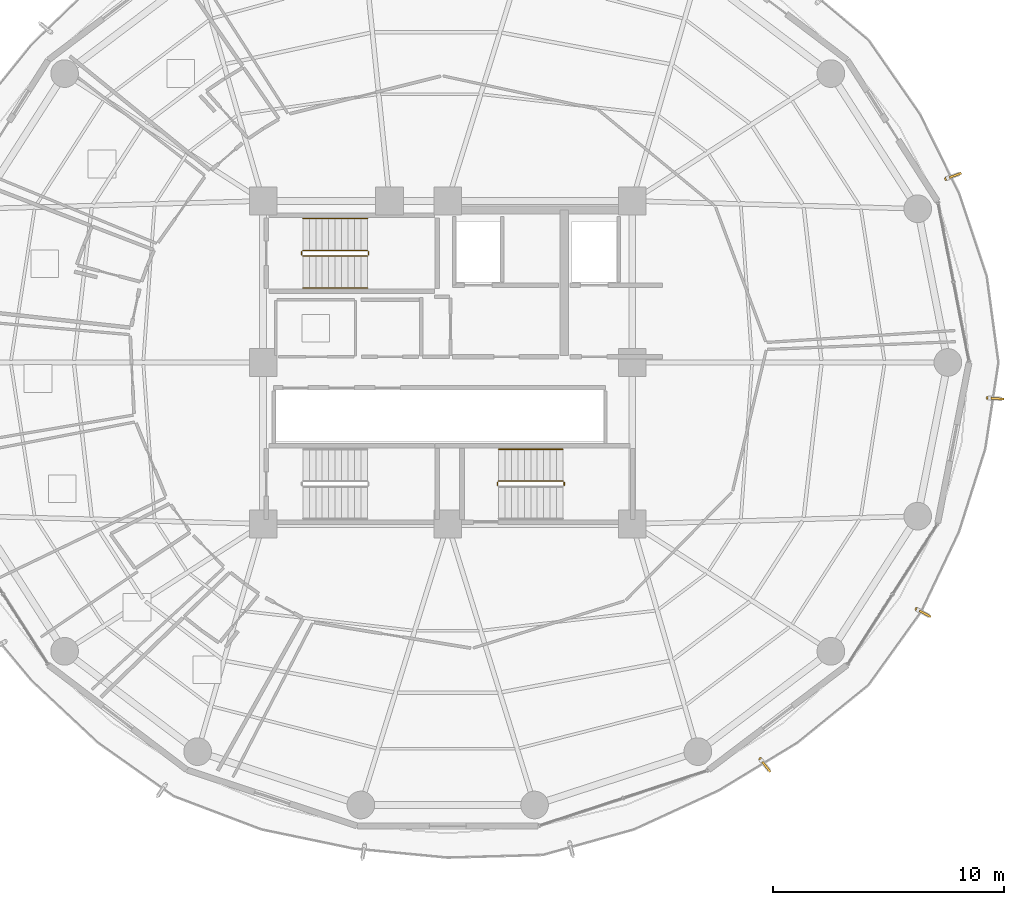
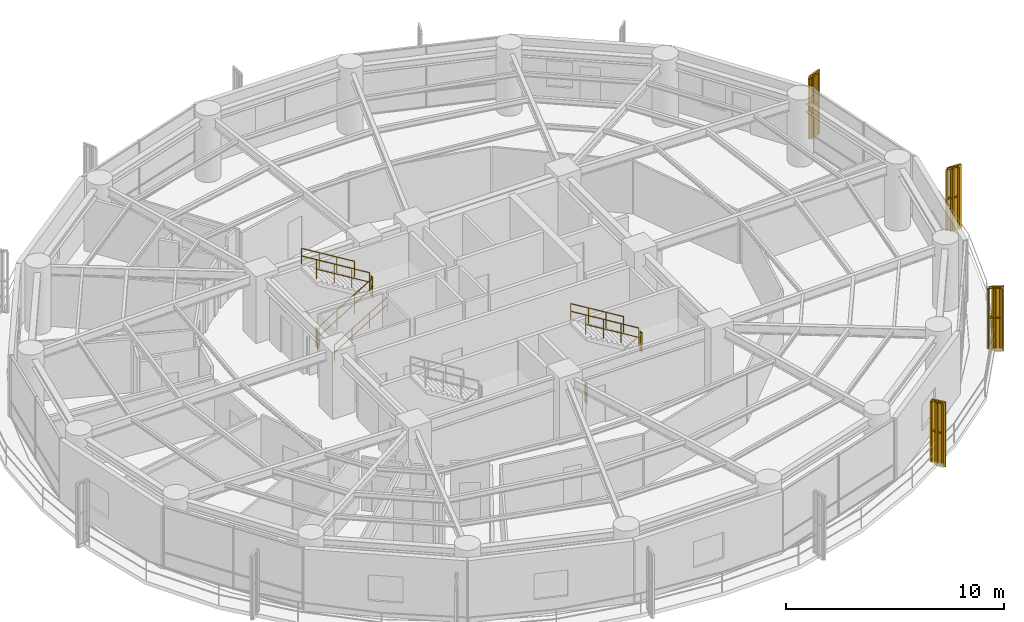
# One storey, part 27 of 28: 14 railings, 4 shading devices.
"""IFC4 building model written with IfcOpenShell, lengths in metres."""

from ifc_helpers import new_model, si_unit, direction, frame, origin, origin_2d, place, context, subcontext, project, spatial, polyline, rectangle, outline, extrude, source, transform, mapped, material, type_object, element, save


model = new_model("IFC4")

# Units and contexts
model_context = context("Model", 3, precision=1e-05, world=origin(), true_north=direction((0.0, 1.0)))
body_context = subcontext(model_context, "Body", "Model", "MODEL_VIEW")
ifc_project = project(units=[si_unit("LENGTHUNIT", "METRE"), si_unit("AREAUNIT", "SQUARE_METRE"), si_unit("VOLUMEUNIT", "CUBIC_METRE"), si_unit("PLANEANGLEUNIT", "RADIAN"), si_unit("MASSUNIT", "GRAM", prefix="KILO")], contexts=[model_context])

# Site, building, storey
site_placement = place(None, origin())
site = spatial("IfcSite", under=ifc_project, at=site_placement, CompositionType="ELEMENT")
building_placement = place(site_placement, origin())
building = spatial("IfcBuilding", under=site, at=building_placement, Name="Kelanora Arch Commons", CompositionType="ELEMENT")
storey_placement = place(building_placement, frame((0.0, 0.0, 161.85009765625)))
storey = spatial("IfcBuildingStorey", under=building, at=storey_placement, Name="L41", CompositionType="ELEMENT", Elevation=161.85009765625)

# Railings
ifc_material_1 = material(Name="Anodised bronze vertical shading fin rib assembly")
railing_type_1 = type_object("IfcRailingType", Name="RAIL-FIN-BRZ", PredefinedType="BALUSTRADE", material=ifc_material_1)
railing_1_placement = place(storey_placement, frame((97.41162109375, 56.45947265625, -0.02001953125)))
element("IfcRailing", 1, at=railing_1_placement, inside=storey, type_object=railing_type_1, Name="Sweeping Bronze Vertical Fin Blade L41-00", PredefinedType="BALUSTRADE", context=body_context, shape_type="SweptSolid", body=[
    extrude(outline(polyline([(0.06982421875, 0.0), (0.034912109375, 0.060546875), (-0.034912109375, 0.060546875), (-0.06982421875, 0.0), (-0.034912109375, -0.060546875), (0.034912109375, -0.060546875), (0.06982421875, 0.0)])), frame((0.0, 0.0, 3.419921875), z_axis=(0.997842497734, -0.065653253664, 0.0), x_axis=(0.065653253664, 0.997842497734, 0.0)), (0.0, 0.0, 1.0), 0.5615234375),
    extrude(outline(polyline([(0.06982421875, 0.0), (0.034912109375, 0.060546875), (-0.034912109375, 0.060546875), (-0.06982421875, 0.0), (-0.034912109375, -0.060546875), (0.034912109375, -0.060546875), (0.06982421875, 0.0)])), frame((0.0, 0.0, 1.7451171875), z_axis=(0.997842497734, -0.065653253664, 0.0), x_axis=(0.065653253664, 0.997842497734, 0.0)), (0.0, 0.0, 1.0), 0.5615234375),
    extrude(outline(polyline([(0.080078125, 0.0), (0.0400390625, 0.0693359375), (-0.0400390625, 0.0693359375), (-0.080078125, 0.0), (-0.0400390625, -0.0693359375), (0.0400390625, -0.0693359375), (0.080078125, 0.0)])), origin(), (0.0, 0.0, 1.0), 3.35009765625),
    extrude(outline(polyline([(0.080078125, 0.0), (0.0400390625, 0.0693359375), (-0.0400390625, 0.0693359375), (-0.080078125, 0.0), (-0.0400390625, -0.0693359375), (0.0400390625, -0.0693359375), (0.080078125, 0.0)])), frame((0.2802734375, -0.0185546875, 0.0)), (0.0, 0.0, 1.0), 3.35009765625),
    extrude(outline(polyline([(0.080078125, 0.0), (0.0400390625, 0.0693359375), (-0.0400390625, 0.0693359375), (-0.080078125, 0.0), (-0.0400390625, -0.0693359375), (0.0400390625, -0.0693359375), (0.080078125, 0.0)])), frame((0.560302734375, -0.036865234375, 0.0)), (0.0, 0.0, 1.0), 3.35009765625),
])
railing_2_placement = place(storey_placement, frame((95.606689453125, 65.964599609375, -0.02001953125)))
element("IfcRailing", 2, at=railing_2_placement, inside=storey, type_object=railing_type_1, Name="Sweeping Bronze Vertical Fin Blade L41-01", PredefinedType="BALUSTRADE", context=body_context, shape_type="SweptSolid", body=[
    extrude(outline(polyline([(0.06982421875, 0.0), (0.034912109375, 0.060546875), (-0.034912109375, 0.060546875), (-0.06982421875, 0.0), (-0.034912109375, -0.060546875), (0.034912109375, -0.060546875), (0.06982421875, 0.0)])), frame((0.0, 0.0, 3.419921875), z_axis=(0.938209437943, 0.346067985451, 0.0), x_axis=(-0.346067985451, 0.938209437943, 0.0)), (0.0, 0.0, 1.0), 0.5615234375),
    extrude(outline(polyline([(0.06982421875, 0.0), (0.034912109375, 0.060546875), (-0.034912109375, 0.060546875), (-0.06982421875, 0.0), (-0.034912109375, -0.060546875), (0.034912109375, -0.060546875), (0.06982421875, 0.0)])), frame((0.0, 0.0, 1.7451171875), z_axis=(0.938209437943, 0.346067985451, 0.0), x_axis=(-0.346067985451, 0.938209437943, 0.0)), (0.0, 0.0, 1.0), 0.5615234375),
    extrude(outline(polyline([(0.080078125, 0.0), (0.0400390625, 0.0693359375), (-0.0400390625, 0.0693359375), (-0.080078125, 0.0), (-0.0400390625, -0.0693359375), (0.0400390625, -0.0693359375), (0.080078125, 0.0)])), origin(), (0.0, 0.0, 1.0), 3.35009765625),
    extrude(outline(polyline([(0.080078125, 0.0), (0.0400390625, 0.0693359375), (-0.0400390625, 0.0693359375), (-0.080078125, 0.0), (-0.0400390625, -0.0693359375), (0.0400390625, -0.0693359375), (0.080078125, 0.0)])), frame((0.263427734375, 0.09716796875, 0.0)), (0.0, 0.0, 1.0), 3.35009765625),
    extrude(outline(polyline([(0.080078125, 0.0), (0.0400390625, 0.0693359375), (-0.0400390625, 0.0693359375), (-0.080078125, 0.0), (-0.0400390625, -0.0693359375), (0.0400390625, -0.0693359375), (0.080078125, 0.0)])), frame((0.52685546875, 0.1943359375, 0.0)), (0.0, 0.0, 1.0), 3.35009765625),
])
railing_3_placement = place(storey_placement, frame((87.551513671875, 40.80078125, -0.02001953125)))
element("IfcRailing", 3, at=railing_3_placement, inside=storey, type_object=railing_type_1, Name="Sweeping Bronze Vertical Fin Blade L41-13", PredefinedType="BALUSTRADE", context=body_context, shape_type="SweptSolid", body=[
    extrude(outline(polyline([(0.06982421875, 0.0), (0.034912109375, 0.060546875), (-0.034912109375, 0.060546875), (-0.06982421875, 0.0), (-0.034912109375, -0.060546875), (0.034912109375, -0.060546875), (0.06982421875, 0.0)])), frame((0.0, 0.0, 3.419921875), z_axis=(0.618896621466, -0.785472451418, 0.0), x_axis=(0.785472451418, 0.618896621466, 0.0)), (0.0, 0.0, 1.0), 0.561279296875),
    extrude(outline(polyline([(0.06982421875, 0.0), (0.034912109375, 0.060546875), (-0.034912109375, 0.060546875), (-0.06982421875, 0.0), (-0.034912109375, -0.060546875), (0.034912109375, -0.060546875), (0.06982421875, 0.0)])), frame((0.0, 0.0, 1.7451171875), z_axis=(0.618896621466, -0.785472451418, 0.0), x_axis=(0.785472451418, 0.618896621466, 0.0)), (0.0, 0.0, 1.0), 0.561279296875),
    extrude(outline(polyline([(0.080078125, 0.0), (0.0400390625, 0.0693359375), (-0.0400390625, 0.0693359375), (-0.080078125, 0.0), (-0.0400390625, -0.0693359375), (0.0400390625, -0.0693359375), (0.080078125, 0.0)])), origin(), (0.0, 0.0, 1.0), 3.35009765625),
    extrude(outline(polyline([(0.080078125, 0.0), (0.0400390625, 0.0693359375), (-0.0400390625, 0.0693359375), (-0.080078125, 0.0), (-0.0400390625, -0.0693359375), (0.0400390625, -0.0693359375), (0.080078125, 0.0)])), frame((0.173828125, -0.220458984375, 0.0)), (0.0, 0.0, 1.0), 3.35009765625),
    extrude(outline(polyline([(0.080078125, 0.0), (0.0400390625, 0.0693359375), (-0.0400390625, 0.0693359375), (-0.080078125, 0.0), (-0.0400390625, -0.0693359375), (0.0400390625, -0.0693359375), (0.080078125, 0.0)])), frame((0.347412109375, -0.44091796875, 0.0)), (0.0, 0.0, 1.0), 3.35009765625),
])
railing_4_placement = place(storey_placement, frame((94.32421875, 47.30029296875, -0.02001953125)))
element("IfcRailing", 4, at=railing_4_placement, inside=storey, type_object=railing_type_1, Name="Sweeping Bronze Vertical Fin Blade L41-14", PredefinedType="BALUSTRADE", context=body_context, shape_type="SweptSolid", body=[
    extrude(outline(polyline([(0.06982421875, 0.0), (0.034912109375, 0.060546875), (-0.034912109375, 0.060546875), (-0.06982421875, 0.0), (-0.034912109375, -0.060546875), (0.034912109375, -0.060546875), (0.06982421875, 0.0)])), frame((0.0, 0.0, 3.419921875), z_axis=(0.884833279438, -0.46590778873, 0.0), x_axis=(0.46590778873, 0.884833279438, 0.0)), (0.0, 0.0, 1.0), 0.561279296875),
    extrude(outline(polyline([(0.06982421875, 0.0), (0.034912109375, 0.060546875), (-0.034912109375, 0.060546875), (-0.06982421875, 0.0), (-0.034912109375, -0.060546875), (0.034912109375, -0.060546875), (0.06982421875, 0.0)])), frame((0.0, 0.0, 1.7451171875), z_axis=(0.884833279438, -0.46590778873, 0.0), x_axis=(0.46590778873, 0.884833279438, 0.0)), (0.0, 0.0, 1.0), 0.561279296875),
    extrude(outline(polyline([(0.080078125, 0.0), (0.0400390625, 0.0693359375), (-0.0400390625, 0.0693359375), (-0.080078125, 0.0), (-0.0400390625, -0.0693359375), (0.0400390625, -0.0693359375), (0.080078125, 0.0)])), origin(), (0.0, 0.0, 1.0), 3.35009765625),
    extrude(outline(polyline([(0.080078125, 0.0), (0.0400390625, 0.0693359375), (-0.0400390625, 0.0693359375), (-0.080078125, 0.0), (-0.0400390625, -0.0693359375), (0.0400390625, -0.0693359375), (0.080078125, 0.0)])), frame((0.248291015625, -0.130859375, 0.0)), (0.0, 0.0, 1.0), 3.35009765625),
    extrude(outline(polyline([(0.080078125, 0.0), (0.0400390625, 0.0693359375), (-0.0400390625, 0.0693359375), (-0.080078125, 0.0), (-0.0400390625, -0.0693359375), (0.0400390625, -0.0693359375), (0.080078125, 0.0)])), frame((0.49658203125, -0.261474609375, 0.0)), (0.0, 0.0, 1.0), 3.35009765625),
])
ifc_material_2 = material(Name="Painted steel stair well guard", Category="steel")
railing_type_2 = type_object("IfcRailingType", Name="RAIL-STAIR-GRD", PredefinedType="GUARDRAIL", material=ifc_material_2)
railing_5_placement = place(storey_placement, frame((67.719970703125, 62.610107421875, 0.17041015625)))
element("IfcRailing", 5, at=railing_5_placement, inside=storey, type_object=railing_type_2, Name="L41 ST-T1 stair guard 1", PredefinedType="GUARDRAIL", context=body_context, shape_type="SweptSolid", body=[
    extrude(outline(polyline([(0.02392578125, 0.0), (0.011962890625, 0.020751953125), (-0.011962890625, 0.020751953125), (-0.02392578125, 0.0), (-0.011962890625, -0.020751953125), (0.011962890625, -0.020751953125), (0.02392578125, 0.0)])), frame((0.0, 0.0, 1.076171875), z_axis=(0.854169791009, 0.0, 0.51999420009), x_axis=(0.0, 1.0, 0.0)), (0.0, 0.0, 1.0), 3.278076171875),
    extrude(outline(polyline([(0.02392578125, 0.0), (0.011962890625, 0.020751953125), (-0.011962890625, 0.020751953125), (-0.02392578125, 0.0), (-0.011962890625, -0.020751953125), (0.011962890625, -0.020751953125), (0.02392578125, 0.0)])), frame((0.0, 0.0, 0.550048828125), z_axis=(0.854169791009, 0.0, 0.51999420009), x_axis=(0.0, 1.0, 0.0)), (0.0, 0.0, 1.0), 3.278076171875),
    extrude(outline(polyline([(0.02099609375, 0.0), (0.010498046875, 0.01806640625), (-0.010498046875, 0.01806640625), (-0.02099609375, 0.0), (-0.010498046875, -0.01806640625), (0.010498046875, -0.01806640625), (0.02099609375, 0.0)])), origin(), (0.0, 0.0, 1.0), 1.052001953125),
    extrude(outline(polyline([(0.02099609375, 0.0), (0.010498046875, 0.01806640625), (-0.010498046875, 0.01806640625), (-0.02099609375, 0.0), (-0.010498046875, -0.01806640625), (0.010498046875, -0.01806640625), (0.02099609375, 0.0)])), frame((0.933349609375, 0.0, 0.568115234375)), (0.0, 0.0, 1.0), 1.052001953125),
    extrude(outline(polyline([(0.02099609375, 0.0), (0.010498046875, 0.01806640625), (-0.010498046875, 0.01806640625), (-0.02099609375, 0.0), (-0.010498046875, -0.01806640625), (0.010498046875, -0.01806640625), (0.02099609375, 0.0)])), frame((1.86669921875, 0.0, 1.136474609375)), (0.0, 0.0, 1.0), 1.052001953125),
    extrude(outline(polyline([(0.02099609375, 0.0), (0.010498046875, 0.01806640625), (-0.010498046875, 0.01806640625), (-0.02099609375, 0.0), (-0.010498046875, -0.01806640625), (0.010498046875, -0.01806640625), (0.02099609375, 0.0)])), frame((2.800048828125, 0.0, 1.70458984375)), (0.0, 0.0, 1.0), 1.052001953125),
])
railing_6_placement = place(storey_placement, frame((70.570068359375, 62.659912109375, 1.875)))
element("IfcRailing", 6, at=railing_6_placement, inside=storey, type_object=railing_type_2, Name="L41 ST-T1 stair guard 2", PredefinedType="GUARDRAIL", context=body_context, shape_type="SweptSolid", body=[
    extrude(outline(polyline([(0.02392578125, 0.0), (0.011962890625, 0.020751953125), (-0.011962890625, 0.020751953125), (-0.02392578125, 0.0), (-0.011962890625, -0.020751953125), (0.011962890625, -0.020751953125), (0.02392578125, 0.0)])), frame((0.0, 0.0, 1.076171875), z_axis=(0.0, 1.0, 0.0), x_axis=(-1.0, 0.0, 0.0)), (0.0, 0.0, 1.0), 0.150146484375),
    extrude(outline(polyline([(0.02392578125, 0.0), (0.011962890625, 0.020751953125), (-0.011962890625, 0.020751953125), (-0.02392578125, 0.0), (-0.011962890625, -0.020751953125), (0.011962890625, -0.020751953125), (0.02392578125, 0.0)])), frame((0.0, 0.0, 0.550048828125), z_axis=(0.0, 1.0, 0.0), x_axis=(-1.0, 0.0, 0.0)), (0.0, 0.0, 1.0), 0.150146484375),
    extrude(outline(polyline([(0.02099609375, 0.0), (0.010498046875, 0.01806640625), (-0.010498046875, 0.01806640625), (-0.02099609375, 0.0), (-0.010498046875, -0.01806640625), (0.010498046875, -0.01806640625), (0.02099609375, 0.0)])), origin(), (0.0, 0.0, 1.0), 1.052001953125),
    extrude(outline(polyline([(0.02099609375, 0.0), (0.010498046875, 0.01806640625), (-0.010498046875, 0.01806640625), (-0.02099609375, 0.0), (-0.010498046875, -0.01806640625), (0.010498046875, -0.01806640625), (0.02099609375, 0.0)])), frame((0.0, 0.150146484375, 0.0)), (0.0, 0.0, 1.0), 1.052001953125),
])
railing_7_placement = place(storey_placement, frame((70.52001953125, 62.860107421875, 2.04541015625)))
element("IfcRailing", 7, at=railing_7_placement, inside=storey, type_object=railing_type_2, Name="L41 ST-T1 stair guard 3", PredefinedType="GUARDRAIL", context=body_context, shape_type="SweptSolid", body=[
    extrude(outline(polyline([(0.02392578125, 0.0), (0.011962890625, 0.020751953125), (-0.011962890625, 0.020751953125), (-0.02392578125, 0.0), (-0.011962890625, -0.020751953125), (0.011962890625, -0.020751953125), (0.02392578125, 0.0)])), frame((0.0, 0.0, 1.076171875), z_axis=(-0.854169791009, 0.0, 0.51999420009), x_axis=(0.0, -1.0, 0.0)), (0.0, 0.0, 1.0), 3.278076171875),
    extrude(outline(polyline([(0.02392578125, 0.0), (0.011962890625, 0.020751953125), (-0.011962890625, 0.020751953125), (-0.02392578125, 0.0), (-0.011962890625, -0.020751953125), (0.011962890625, -0.020751953125), (0.02392578125, 0.0)])), frame((0.0, 0.0, 0.550048828125), z_axis=(-0.854169791009, 0.0, 0.51999420009), x_axis=(0.0, -1.0, 0.0)), (0.0, 0.0, 1.0), 3.278076171875),
    extrude(outline(polyline([(0.02099609375, 0.0), (0.010498046875, 0.01806640625), (-0.010498046875, 0.01806640625), (-0.02099609375, 0.0), (-0.010498046875, -0.01806640625), (0.010498046875, -0.01806640625), (0.02099609375, 0.0)])), origin(), (0.0, 0.0, 1.0), 1.052001953125),
    extrude(outline(polyline([(0.02099609375, 0.0), (0.010498046875, 0.01806640625), (-0.010498046875, 0.01806640625), (-0.02099609375, 0.0), (-0.010498046875, -0.01806640625), (0.010498046875, -0.01806640625), (0.02099609375, 0.0)])), frame((-0.933349609375, 0.0, 0.568115234375)), (0.0, 0.0, 1.0), 1.052001953125),
    extrude(outline(polyline([(0.02099609375, 0.0), (0.010498046875, 0.01806640625), (-0.010498046875, 0.01806640625), (-0.02099609375, 0.0), (-0.010498046875, -0.01806640625), (0.010498046875, -0.01806640625), (0.02099609375, 0.0)])), frame((-1.86669921875, 0.0, 1.136474609375)), (0.0, 0.0, 1.0), 1.052001953125),
    extrude(outline(polyline([(0.02099609375, 0.0), (0.010498046875, 0.01806640625), (-0.010498046875, 0.01806640625), (-0.02099609375, 0.0), (-0.010498046875, -0.01806640625), (0.010498046875, -0.01806640625), (0.02099609375, 0.0)])), frame((-2.800048828125, 0.0, 1.70458984375)), (0.0, 0.0, 1.0), 1.052001953125),
])
for number, where, name in (
    (8, (67.669921875, 62.659912109375, 0.0), "L41 ST-T1 stair guard 4"),
    (9, (79.050048828125, 52.659912109375, 1.875), "L41 ST-T2 stair guard 2"),
):
    element("IfcRailing", number, at=place(storey_placement, frame(where)), inside=storey, type_object=railing_type_2, Name=name, PredefinedType="GUARDRAIL", context=body_context, shape_type="SweptSolid", body=[
        extrude(outline(polyline([(0.02392578125, 0.0), (0.011962890625, 0.020751953125), (-0.011962890625, 0.020751953125), (-0.02392578125, 0.0), (-0.011962890625, -0.020751953125), (0.011962890625, -0.020751953125), (0.02392578125, 0.0)])), frame((0.0, 0.0, 1.076171875), z_axis=(0.0, 1.0, 0.0), x_axis=(-1.0, 0.0, 0.0)), (0.0, 0.0, 1.0), 0.150146484375),
        extrude(outline(polyline([(0.02392578125, 0.0), (0.011962890625, 0.020751953125), (-0.011962890625, 0.020751953125), (-0.02392578125, 0.0), (-0.011962890625, -0.020751953125), (0.011962890625, -0.020751953125), (0.02392578125, 0.0)])), frame((0.0, 0.0, 0.550048828125), z_axis=(0.0, 1.0, 0.0), x_axis=(-1.0, 0.0, 0.0)), (0.0, 0.0, 1.0), 0.150146484375),
        extrude(outline(polyline([(0.02099609375, 0.0), (0.010498046875, 0.01806640625), (-0.010498046875, 0.01806640625), (-0.02099609375, 0.0), (-0.010498046875, -0.01806640625), (0.010498046875, -0.01806640625), (0.02099609375, 0.0)])), origin(), (0.0, 0.0, 1.0), 1.052001953125),
        extrude(outline(polyline([(0.02099609375, 0.0), (0.010498046875, 0.01806640625), (-0.010498046875, 0.01806640625), (-0.02099609375, 0.0), (-0.010498046875, -0.01806640625), (0.010498046875, -0.01806640625), (0.02099609375, 0.0)])), frame((0.0, 0.150146484375, 0.0)), (0.0, 0.0, 1.0), 1.052001953125),
    ])
railing_8_placement = place(storey_placement, frame((79.0, 52.860107421875, 2.04541015625)))
element("IfcRailing", 10, at=railing_8_placement, inside=storey, type_object=railing_type_2, Name="L41 ST-T2 stair guard 3", PredefinedType="GUARDRAIL", context=body_context, shape_type="SweptSolid", body=[
    extrude(outline(polyline([(0.02392578125, 0.0), (0.011962890625, 0.020751953125), (-0.011962890625, 0.020751953125), (-0.02392578125, 0.0), (-0.011962890625, -0.020751953125), (0.011962890625, -0.020751953125), (0.02392578125, 0.0)])), frame((0.0, 0.0, 1.076171875), z_axis=(-0.854169791009, 0.0, 0.51999420009), x_axis=(0.0, -1.0, 0.0)), (0.0, 0.0, 1.0), 3.278076171875),
    extrude(outline(polyline([(0.02392578125, 0.0), (0.011962890625, 0.020751953125), (-0.011962890625, 0.020751953125), (-0.02392578125, 0.0), (-0.011962890625, -0.020751953125), (0.011962890625, -0.020751953125), (0.02392578125, 0.0)])), frame((0.0, 0.0, 0.550048828125), z_axis=(-0.854169791009, 0.0, 0.51999420009), x_axis=(0.0, -1.0, 0.0)), (0.0, 0.0, 1.0), 3.278076171875),
    extrude(outline(polyline([(0.02099609375, 0.0), (0.010498046875, 0.01806640625), (-0.010498046875, 0.01806640625), (-0.02099609375, 0.0), (-0.010498046875, -0.01806640625), (0.010498046875, -0.01806640625), (0.02099609375, 0.0)])), origin(), (0.0, 0.0, 1.0), 1.052001953125),
    extrude(outline(polyline([(0.02099609375, 0.0), (0.010498046875, 0.01806640625), (-0.010498046875, 0.01806640625), (-0.02099609375, 0.0), (-0.010498046875, -0.01806640625), (0.010498046875, -0.01806640625), (0.02099609375, 0.0)])), frame((-0.933349609375, 0.0, 0.568115234375)), (0.0, 0.0, 1.0), 1.052001953125),
    extrude(outline(polyline([(0.02099609375, 0.0), (0.010498046875, 0.01806640625), (-0.010498046875, 0.01806640625), (-0.02099609375, 0.0), (-0.010498046875, -0.01806640625), (0.010498046875, -0.01806640625), (0.02099609375, 0.0)])), frame((-1.86669921875, 0.0, 1.136474609375)), (0.0, 0.0, 1.0), 1.052001953125),
    extrude(outline(polyline([(0.02099609375, 0.0), (0.010498046875, 0.01806640625), (-0.010498046875, 0.01806640625), (-0.02099609375, 0.0), (-0.010498046875, -0.01806640625), (0.010498046875, -0.01806640625), (0.02099609375, 0.0)])), frame((-2.800048828125, 0.0, 1.70458984375)), (0.0, 0.0, 1.0), 1.052001953125),
])
railing_9_placement = place(storey_placement, frame((76.14990234375, 52.659912109375, 0.0)))
element("IfcRailing", 11, at=railing_9_placement, inside=storey, type_object=railing_type_2, Name="L41 ST-T2 stair guard 4", PredefinedType="GUARDRAIL", context=body_context, shape_type="SweptSolid", body=[
    extrude(outline(polyline([(0.02392578125, 0.0), (0.011962890625, 0.020751953125), (-0.011962890625, 0.020751953125), (-0.02392578125, 0.0), (-0.011962890625, -0.020751953125), (0.011962890625, -0.020751953125), (0.02392578125, 0.0)])), frame((0.0, 0.0, 1.076171875), z_axis=(0.0, 1.0, 0.0), x_axis=(-1.0, 0.0, 0.0)), (0.0, 0.0, 1.0), 0.150146484375),
    extrude(outline(polyline([(0.02392578125, 0.0), (0.011962890625, 0.020751953125), (-0.011962890625, 0.020751953125), (-0.02392578125, 0.0), (-0.011962890625, -0.020751953125), (0.011962890625, -0.020751953125), (0.02392578125, 0.0)])), frame((0.0, 0.0, 0.550048828125), z_axis=(0.0, 1.0, 0.0), x_axis=(-1.0, 0.0, 0.0)), (0.0, 0.0, 1.0), 0.150146484375),
    extrude(outline(polyline([(0.02099609375, 0.0), (0.010498046875, 0.01806640625), (-0.010498046875, 0.01806640625), (-0.02099609375, 0.0), (-0.010498046875, -0.01806640625), (0.010498046875, -0.01806640625), (0.02099609375, 0.0)])), origin(), (0.0, 0.0, 1.0), 1.052001953125),
    extrude(outline(polyline([(0.02099609375, 0.0), (0.010498046875, 0.01806640625), (-0.010498046875, 0.01806640625), (-0.02099609375, 0.0), (-0.010498046875, -0.01806640625), (0.010498046875, -0.01806640625), (0.02099609375, 0.0)])), frame((0.0, 0.150146484375, 0.0)), (0.0, 0.0, 1.0), 1.052001953125),
])
ifc_material_3 = material(Name="Brushed stainless steel stair handrail", Category="steel")
railing_type_3 = type_object("IfcRailingType", Name="RAIL-STAIR-HND", PredefinedType="HANDRAIL", material=ifc_material_3)
railing_10_placement = place(storey_placement, frame((67.719970703125, 61.22998046875, 0.17041015625)))
element("IfcRailing", 12, at=railing_10_placement, inside=storey, type_object=railing_type_3, Name="L41 ST-T1 stair handrail 1", PredefinedType="HANDRAIL", context=body_context, shape_type="SweptSolid", body=[
    extrude(outline(polyline([(0.02392578125, 0.0), (0.011962890625, 0.020751953125), (-0.011962890625, 0.020751953125), (-0.02392578125, 0.0), (-0.011962890625, -0.020751953125), (0.011962890625, -0.020751953125), (0.02392578125, 0.0)])), frame((0.0, 0.0, 0.8759765625), z_axis=(0.854169791009, 0.0, 0.51999420009), x_axis=(0.0, 1.0, 0.0)), (0.0, 0.0, 1.0), 3.278076171875),
    extrude(outline(polyline([(0.02392578125, 0.0), (0.011962890625, 0.020751953125), (-0.011962890625, 0.020751953125), (-0.02392578125, 0.0), (-0.011962890625, -0.020751953125), (0.011962890625, -0.020751953125), (0.02392578125, 0.0)])), frame((0.0, 0.0, 0.449951171875), z_axis=(0.854169791009, 0.0, 0.51999420009), x_axis=(0.0, 1.0, 0.0)), (0.0, 0.0, 1.0), 3.278076171875),
    extrude(outline(polyline([(0.02099609375, 0.0), (0.010498046875, 0.01806640625), (-0.010498046875, 0.01806640625), (-0.02099609375, 0.0), (-0.010498046875, -0.01806640625), (0.010498046875, -0.01806640625), (0.02099609375, 0.0)])), origin(), (0.0, 0.0, 1.0), 0.851806640625),
    extrude(outline(polyline([(0.02099609375, 0.0), (0.010498046875, 0.01806640625), (-0.010498046875, 0.01806640625), (-0.02099609375, 0.0), (-0.010498046875, -0.01806640625), (0.010498046875, -0.01806640625), (0.02099609375, 0.0)])), frame((0.933349609375, 0.0, 0.568115234375)), (0.0, 0.0, 1.0), 0.851806640625),
    extrude(outline(polyline([(0.02099609375, 0.0), (0.010498046875, 0.01806640625), (-0.010498046875, 0.01806640625), (-0.02099609375, 0.0), (-0.010498046875, -0.01806640625), (0.010498046875, -0.01806640625), (0.02099609375, 0.0)])), frame((1.86669921875, 0.0, 1.136474609375)), (0.0, 0.0, 1.0), 0.851806640625),
    extrude(outline(polyline([(0.02099609375, 0.0), (0.010498046875, 0.01806640625), (-0.010498046875, 0.01806640625), (-0.02099609375, 0.0), (-0.010498046875, -0.01806640625), (0.010498046875, -0.01806640625), (0.02099609375, 0.0)])), frame((2.800048828125, 0.0, 1.70458984375)), (0.0, 0.0, 1.0), 0.851806640625),
])
railing_11_placement = place(storey_placement, frame((70.52001953125, 64.239990234375, 2.04541015625)))
element("IfcRailing", 13, at=railing_11_placement, inside=storey, type_object=railing_type_3, Name="L41 ST-T1 stair handrail 2", PredefinedType="HANDRAIL", context=body_context, shape_type="SweptSolid", body=[
    extrude(outline(polyline([(0.02392578125, 0.0), (0.011962890625, 0.020751953125), (-0.011962890625, 0.020751953125), (-0.02392578125, 0.0), (-0.011962890625, -0.020751953125), (0.011962890625, -0.020751953125), (0.02392578125, 0.0)])), frame((0.0, 0.0, 0.8759765625), z_axis=(-0.854169791009, 0.0, 0.51999420009), x_axis=(0.0, -1.0, 0.0)), (0.0, 0.0, 1.0), 3.278076171875),
    extrude(outline(polyline([(0.02392578125, 0.0), (0.011962890625, 0.020751953125), (-0.011962890625, 0.020751953125), (-0.02392578125, 0.0), (-0.011962890625, -0.020751953125), (0.011962890625, -0.020751953125), (0.02392578125, 0.0)])), frame((0.0, 0.0, 0.449951171875), z_axis=(-0.854169791009, 0.0, 0.51999420009), x_axis=(0.0, -1.0, 0.0)), (0.0, 0.0, 1.0), 3.278076171875),
    extrude(outline(polyline([(0.02099609375, 0.0), (0.010498046875, 0.01806640625), (-0.010498046875, 0.01806640625), (-0.02099609375, 0.0), (-0.010498046875, -0.01806640625), (0.010498046875, -0.01806640625), (0.02099609375, 0.0)])), origin(), (0.0, 0.0, 1.0), 0.851806640625),
    extrude(outline(polyline([(0.02099609375, 0.0), (0.010498046875, 0.01806640625), (-0.010498046875, 0.01806640625), (-0.02099609375, 0.0), (-0.010498046875, -0.01806640625), (0.010498046875, -0.01806640625), (0.02099609375, 0.0)])), frame((-0.933349609375, 0.0, 0.568115234375)), (0.0, 0.0, 1.0), 0.851806640625),
    extrude(outline(polyline([(0.02099609375, 0.0), (0.010498046875, 0.01806640625), (-0.010498046875, 0.01806640625), (-0.02099609375, 0.0), (-0.010498046875, -0.01806640625), (0.010498046875, -0.01806640625), (0.02099609375, 0.0)])), frame((-1.86669921875, 0.0, 1.136474609375)), (0.0, 0.0, 1.0), 0.851806640625),
    extrude(outline(polyline([(0.02099609375, 0.0), (0.010498046875, 0.01806640625), (-0.010498046875, 0.01806640625), (-0.02099609375, 0.0), (-0.010498046875, -0.01806640625), (0.010498046875, -0.01806640625), (0.02099609375, 0.0)])), frame((-2.800048828125, 0.0, 1.70458984375)), (0.0, 0.0, 1.0), 0.851806640625),
])
railing_12_placement = place(storey_placement, frame((79.0, 54.239990234375, 2.04541015625)))
element("IfcRailing", 14, at=railing_12_placement, inside=storey, type_object=railing_type_3, Name="L41 ST-T2 stair handrail 2", PredefinedType="HANDRAIL", context=body_context, shape_type="SweptSolid", body=[
    extrude(outline(polyline([(0.02392578125, 0.0), (0.011962890625, 0.020751953125), (-0.011962890625, 0.020751953125), (-0.02392578125, 0.0), (-0.011962890625, -0.020751953125), (0.011962890625, -0.020751953125), (0.02392578125, 0.0)])), frame((0.0, 0.0, 0.8759765625), z_axis=(-0.854169791009, 0.0, 0.51999420009), x_axis=(0.0, -1.0, 0.0)), (0.0, 0.0, 1.0), 3.278076171875),
    extrude(outline(polyline([(0.02392578125, 0.0), (0.011962890625, 0.020751953125), (-0.011962890625, 0.020751953125), (-0.02392578125, 0.0), (-0.011962890625, -0.020751953125), (0.011962890625, -0.020751953125), (0.02392578125, 0.0)])), frame((0.0, 0.0, 0.449951171875), z_axis=(-0.854169791009, 0.0, 0.51999420009), x_axis=(0.0, -1.0, 0.0)), (0.0, 0.0, 1.0), 3.278076171875),
    extrude(outline(polyline([(0.02099609375, 0.0), (0.010498046875, 0.01806640625), (-0.010498046875, 0.01806640625), (-0.02099609375, 0.0), (-0.010498046875, -0.01806640625), (0.010498046875, -0.01806640625), (0.02099609375, 0.0)])), origin(), (0.0, 0.0, 1.0), 0.851806640625),
    extrude(outline(polyline([(0.02099609375, 0.0), (0.010498046875, 0.01806640625), (-0.010498046875, 0.01806640625), (-0.02099609375, 0.0), (-0.010498046875, -0.01806640625), (0.010498046875, -0.01806640625), (0.02099609375, 0.0)])), frame((-0.933349609375, 0.0, 0.568115234375)), (0.0, 0.0, 1.0), 0.851806640625),
    extrude(outline(polyline([(0.02099609375, 0.0), (0.010498046875, 0.01806640625), (-0.010498046875, 0.01806640625), (-0.02099609375, 0.0), (-0.010498046875, -0.01806640625), (0.010498046875, -0.01806640625), (0.02099609375, 0.0)])), frame((-1.86669921875, 0.0, 1.136474609375)), (0.0, 0.0, 1.0), 0.851806640625),
    extrude(outline(polyline([(0.02099609375, 0.0), (0.010498046875, 0.01806640625), (-0.010498046875, 0.01806640625), (-0.02099609375, 0.0), (-0.010498046875, -0.01806640625), (0.010498046875, -0.01806640625), (0.02099609375, 0.0)])), frame((-2.800048828125, 0.0, 1.70458984375)), (0.0, 0.0, 1.0), 0.851806640625),
])

# Shading devices
ifc_material_4 = material(Name="Terracotta ceramic-clad extruded aluminium fin", Category="masonry")
shading_device_type = type_object("IfcShadingDeviceType", Name="SHD-FIN-WAIST", PredefinedType="USERDEFINED", material=ifc_material_4)
shared_shape = source(origin(), body_context, "Body", "SweptSolid", [
    extrude(rectangle(XDim=0.56005859375, YDim=0.090087890625, at=origin_2d()), origin(), (0.0, 0.0, 1.0), 3.610107421875),
])
for number, where, z_axis, x_axis, name in (
    (15, (97.83154296875, 56.431640625, -0.14013671875), (0.0, 0.0, 1.0), (0.997836032447, -0.065751443712, 0.0), "Sweeping Terracotta Fin L41-00"),
    (16, (96.00146484375, 66.110107421875, -0.14013671875), (0.0, 0.0, 1.0), (0.938312096407, 0.345789545441, 0.0), "Sweeping Terracotta Fin L41-01"),
    (17, (87.811767578125, 40.47021484375, -0.14013671875), (0.0, 0.0, 1.0), (0.61895687622, -0.785424971197, 0.0), "Sweeping Terracotta Fin L41-13"),
    (18, (94.6962890625, 47.104248046875, -0.14013671875), (0.0, 0.0, 1.0), (0.88490635892, -0.465768972714, 0.0), "Sweeping Terracotta Fin L41-14"),
):
    element("IfcShadingDevice", number, at=place(storey_placement, frame(where, z_axis=z_axis, x_axis=x_axis)), inside=storey, type_object=shading_device_type, Name=name, ObjectType="FIN", PredefinedType="USERDEFINED", context=body_context, shape_type="MappedRepresentation", body=[
        mapped(shared_shape, transform((0.0, 0.0, 0.0), scale=1.0)),
    ])

save(model, "model.ifc")
